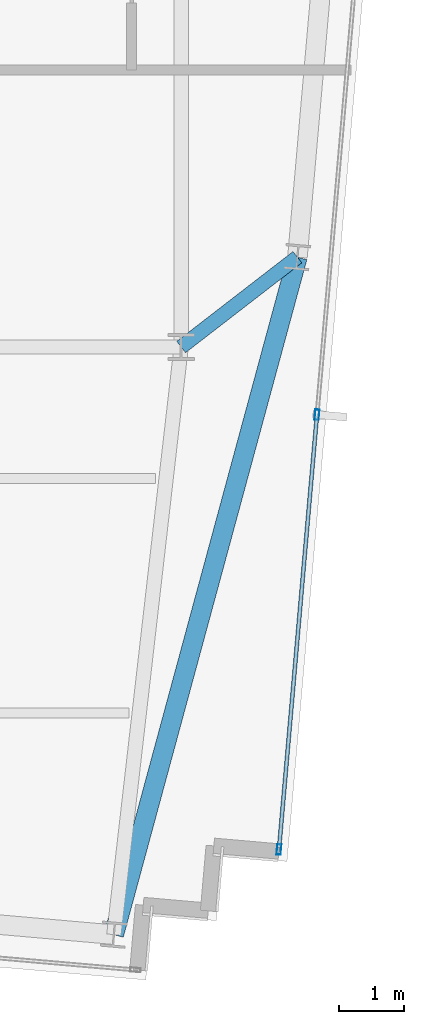
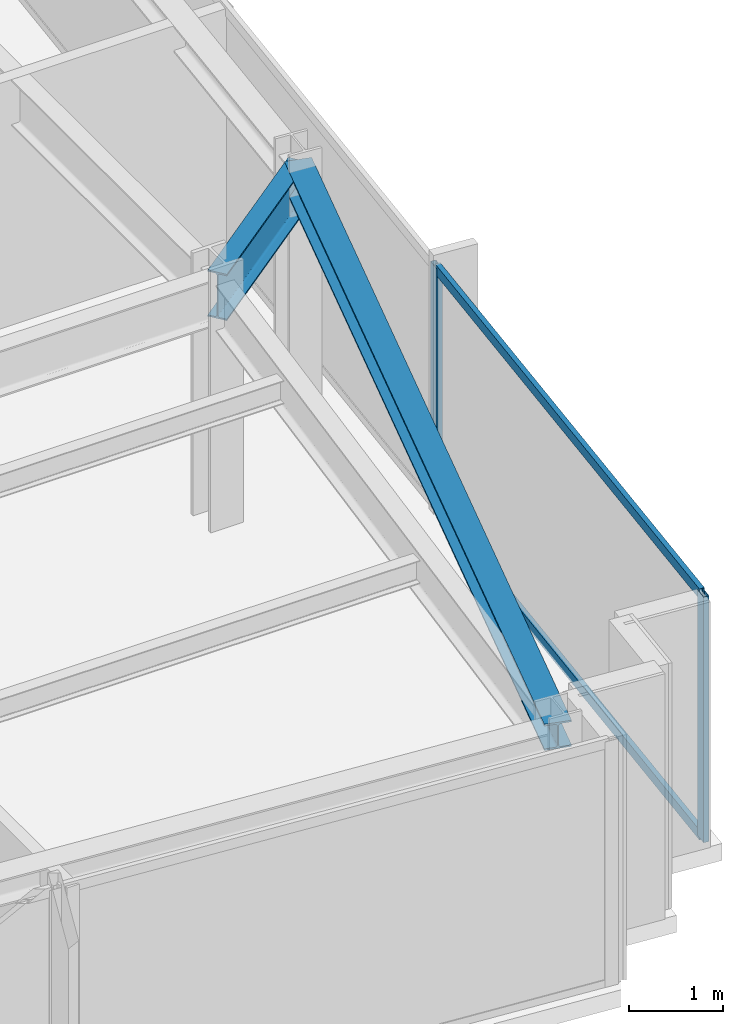
# One storey, part 16 of 32: 4 members, 2 beams, 1 element without a shape of its own.
"""IFC4 building model written with IfcOpenShell, lengths in metres."""

from ifc_helpers import new_model, si_unit, direction, frame, origin, origin_2d, place, context, subcontext, project, spatial, hollow_rectangle, i_section, extrude, material, material_profile, profile_set, type_object, element, aggregate, save


model = new_model("IFC4")

# Units and contexts
model_context = context("Model", 3, precision=1e-05, world=origin(), true_north=direction((0.0, 1.0)))
body_context = subcontext(model_context, "Body", "Model", "MODEL_VIEW")
ifc_project = project(units=[si_unit("LENGTHUNIT", "METRE"), si_unit("AREAUNIT", "SQUARE_METRE"), si_unit("VOLUMEUNIT", "CUBIC_METRE"), si_unit("PLANEANGLEUNIT", "RADIAN"), si_unit("MASSUNIT", "GRAM", prefix="KILO")], contexts=[model_context])

# Site, building, storey
site_placement = place(None, origin())
site = spatial("IfcSite", under=ifc_project, at=site_placement, CompositionType="ELEMENT")
building_placement = place(site_placement, origin())
building = spatial("IfcBuilding", under=site, at=building_placement, Name="Yelkora Congress Tower", CompositionType="ELEMENT")
storey_placement = place(building_placement, frame((0.0, 0.0, 293.10009765625)))
storey = spatial("IfcBuildingStorey", under=building, at=storey_placement, Name="L82", CompositionType="ELEMENT", Elevation=293.10009765625)

# Beams
ifc_material_1 = material(Name="Steel S355J2", Category="steel")
ifc_material_profile_1 = material_profile(ifc_material_1, i_section(OverallWidth=0.219970703125, OverallDepth=0.60009765625, WebThickness=0.011962890625, FlangeThickness=0.01904296875, FilletRadius=0.02392578125, at=origin_2d()), Name="IPE 600")
ifc_profile_set_1 = profile_set([ifc_material_profile_1], Name="Steel S355J2")
beam_type_1 = type_object("IfcBeamType", Name="BM-GIRD-IPE600", PredefinedType="BEAM", material=ifc_profile_set_1)
beam_1_placement = place(storey_placement, frame((55.543701171875, 26.57861328125, 2.8798828125), z_axis=(-0.791208781933, -0.611546125318, 0.0), x_axis=(0.611546125318, -0.791208781933, 0.0)))
element("IfcBeam", 1, at=beam_1_placement, inside=storey, type_object=beam_type_1, Name="L82 Primary Frame Girder E01", PredefinedType="BEAM", context=body_context, shape_type="SweptSolid", body=[
    extrude(i_section(OverallWidth=0.219970703125, OverallDepth=0.60009765625, WebThickness=0.011962890625, FlangeThickness=0.01904296875, FilletRadius=0.02392578125, at=origin_2d()), origin(), (0.0, 0.0, 1.0), 2.25439453125),
])
ifc_material_profile_2 = material_profile(ifc_material_1, i_section(OverallWidth=0.300048828125, OverallDepth=0.340087890625, WebThickness=0.011962890625, FlangeThickness=0.021484375, FilletRadius=0.027099609375, at=origin_2d()), Name="HEB 340")
ifc_profile_set_2 = profile_set([ifc_material_profile_2], Name="Steel S355J2")
beam_type_2 = type_object("IfcBeamType", Name="BM-SPAN-HEB340", PredefinedType="SPANDREL", material=ifc_profile_set_2)
beam_2_placement = place(storey_placement, frame((52.727294921875, 16.1845703125, 3.010009765625), z_axis=(0.261532523212, 0.965194663942, 0.0), x_axis=(-0.965194663942, 0.261532523212, 0.0)))
element("IfcBeam", 2, at=beam_2_placement, inside=storey, type_object=beam_type_2, Name="L82 Perimeter Beam 7", PredefinedType="SPANDREL", context=body_context, shape_type="SweptSolid", body=[
    extrude(i_section(OverallWidth=0.300048828125, OverallDepth=0.340087890625, WebThickness=0.011962890625, FlangeThickness=0.021484375, FilletRadius=0.027099609375, at=origin_2d()), origin(), (0.0, 0.0, 1.0), 10.768798828125),
])

# Curtain wall, members
ifc_material_2 = material(Name="Anodised aluminium and insulated glass", Category="aluminium")
curtain_wall_type = type_object("IfcCurtainWallType", Name="CW-SYS-B5", PredefinedType="NOTDEFINED", material=ifc_material_2)
curtain_wall_placement = place(storey_placement, origin())
curtain_wall = element("IfcCurtainWall", 3, at=curtain_wall_placement, inside=storey, type_object=curtain_wall_type, Name="L82 Unitised Curtain Wall 15", PredefinedType="NOTDEFINED")
ifc_material_3 = material(Name="Anodised aluminium 6063-T6", Category="aluminium")
ifc_material_profile_3 = material_profile(ifc_material_3, hollow_rectangle(XDim=0.06494140625, YDim=0.159912109375, WallThickness=0.00390625, at=origin_2d()), Name="ALU 65x160x4")
ifc_profile_set_3 = profile_set([ifc_material_profile_3], Name="Anodised aluminium 6063-T6")
member_type_1 = type_object("IfcMemberType", Name="MEM-ML-B5", PredefinedType="MULLION", material=ifc_profile_set_3)
member_1_placement = place(storey_placement, frame((55.844482421875, 24.1630859375, 0.0), z_axis=(0.0, 0.0, 1.0), x_axis=(0.996194463398, -0.087158425264, 0.0)))
member_1 = element("IfcMember", 4, at=member_1_placement, type_object=member_type_1, Name="CW-B5 mullion 4", PredefinedType="MULLION", context=body_context, shape_type="SweptSolid", body=[
    extrude(hollow_rectangle(XDim=0.06494140625, YDim=0.159912109375, WallThickness=0.00390625, at=origin_2d()), origin(), (0.0, 0.0, 1.0), 3.179931640625),
])
member_2_placement = place(storey_placement, frame((55.2607421875, 17.4912109375, 0.0), z_axis=(0.0, 0.0, 1.0), x_axis=(0.996194463398, -0.087158425264, 0.0)))
member_2 = element("IfcMember", 5, at=member_2_placement, type_object=member_type_1, Name="CW-B5 mullion 5", PredefinedType="MULLION", context=body_context, shape_type="SweptSolid", body=[
    extrude(hollow_rectangle(XDim=0.06494140625, YDim=0.159912109375, WallThickness=0.00390625, at=origin_2d()), origin(), (0.0, 0.0, 1.0), 3.179931640625),
])
ifc_material_profile_4 = material_profile(ifc_material_3, hollow_rectangle(XDim=0.06005859375, YDim=0.1298828125, WallThickness=0.00390625, at=origin_2d()), Name="ALU 60x130x4")
ifc_profile_set_4 = profile_set([ifc_material_profile_4], Name="Anodised aluminium 6063-T6")
member_type_2 = type_object("IfcMemberType", Name="MEM-TR-B5", PredefinedType="USERDEFINED", material=ifc_profile_set_4)
member_3_placement = place(storey_placement, frame((55.841552734375, 24.130859375, 0.02978515625), z_axis=(-0.087163297365, -0.996194037119, 0.0), x_axis=(0.996194037119, -0.087163297365, 0.0)))
member_3 = element("IfcMember", 6, at=member_3_placement, type_object=member_type_2, Name="CW-B5 transom 4.1", ObjectType="TRANSOM", PredefinedType="USERDEFINED", context=body_context, shape_type="SweptSolid", body=[
    extrude(hollow_rectangle(XDim=0.06005859375, YDim=0.1298828125, WallThickness=0.00390625, at=origin_2d()), origin(), (0.0, 0.0, 1.0), 6.632568359375),
])
member_4_placement = place(storey_placement, frame((55.841552734375, 24.130859375, 3.14990234375), z_axis=(-0.087163297365, -0.996194037119, 0.0), x_axis=(0.996194037119, -0.087163297365, 0.0)))
member_4 = element("IfcMember", 7, at=member_4_placement, type_object=member_type_2, Name="CW-B5 transom 4.2", ObjectType="TRANSOM", PredefinedType="USERDEFINED", context=body_context, shape_type="SweptSolid", body=[
    extrude(hollow_rectangle(XDim=0.06005859375, YDim=0.1298828125, WallThickness=0.00390625, at=origin_2d()), origin(), (0.0, 0.0, 1.0), 6.632568359375),
])
aggregate(curtain_wall, [member_1, member_2, member_3, member_4])

save(model, "model.ifc")
